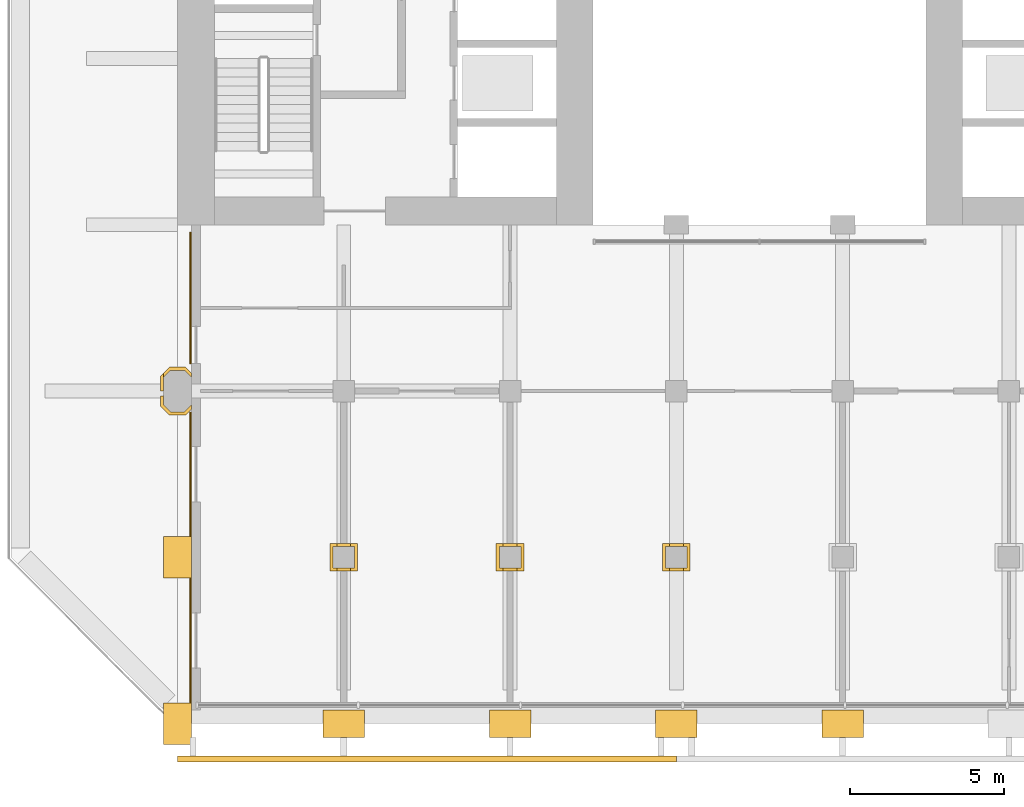
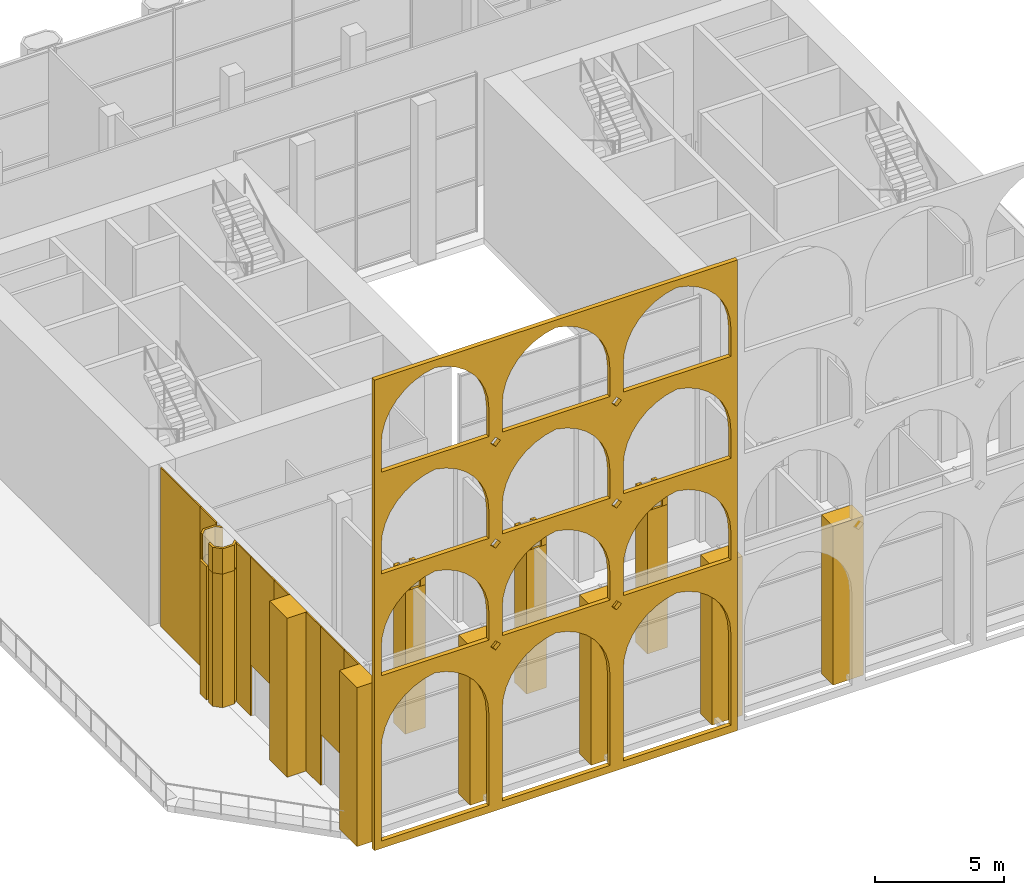
# One storey, part 13 of 20: 28 coverings.
"""IFC4 building model written with IfcOpenShell, lengths in metres."""

from ifc_helpers import new_model, si_unit, direction, frame, frame_2d, origin, place, context, subcontext, project, spatial, polyline, rectangle, outline, extrude, material, layer, layer_set, type_object, element, save


model = new_model("IFC4")

# Units and contexts
model_context = context("Model", 3, precision=1e-05, world=origin(), true_north=direction((0.0, 1.0)))
body_context = subcontext(model_context, "Body", "Model", "MODEL_VIEW")
ifc_project = project(units=[si_unit("LENGTHUNIT", "METRE"), si_unit("AREAUNIT", "SQUARE_METRE"), si_unit("VOLUMEUNIT", "CUBIC_METRE"), si_unit("PLANEANGLEUNIT", "RADIAN"), si_unit("MASSUNIT", "GRAM", prefix="KILO")], contexts=[model_context])

# Site, building, storey
site_placement = place(None, origin())
site = spatial("IfcSite", under=ifc_project, at=site_placement, CompositionType="ELEMENT")
building_placement = place(site_placement, origin())
building = spatial("IfcBuilding", under=site, at=building_placement, Name="Tabaq Tower and Sports Hall", CompositionType="ELEMENT")
storey_placement = place(building_placement, frame((0.0, 0.0, 243.10009765625)))
storey = spatial("IfcBuildingStorey", under=building, at=storey_placement, Name="L60", CompositionType="ELEMENT", Elevation=243.10009765625)

# Coverings
ifc_material_1 = material(Name="Precast concrete C60/75", Category="concrete")
ifc_layer_1 = layer(ifc_material_1, 0.10009765625)
ifc_layer_set_1 = layer_set([ifc_layer_1], Name="Column cladding 100")
covering_type_1 = type_object("IfcCoveringType", Name="Column cladding 100", PredefinedType="CLADDING", material=ifc_layer_set_1)
covering_1_placement = place(storey_placement, origin())
element("IfcCovering", 1, at=covering_1_placement, inside=storey, type_object=covering_type_1, Name="Column cladding L60 PC-2C-S2", PredefinedType="CLADDING", context=body_context, shape_type="SweptSolid", body=[
    extrude(outline(polyline([(4.850341796875, 11.291259765625), (5.1337890625, 11.57470703125), (5.666259765625, 11.57470703125), (5.849609375, 11.391357421875), (5.849609375, 11.250732421875), (5.625244140625, 11.475341796875), (5.1748046875, 11.475341796875), (4.94970703125, 11.250244140625), (4.94970703125, 10.80029296875), (4.850341796875, 10.80029296875), (4.850341796875, 11.291259765625)])), origin(), (0.0, 0.0, 1.0), 6.2998046875),
])
covering_2_placement = place(storey_placement, origin())
element("IfcCovering", 2, at=covering_2_placement, inside=storey, type_object=covering_type_1, Name="Column cladding L60 PC-2C-S2 2", PredefinedType="CLADDING", context=body_context, shape_type="SweptSolid", body=[
    extrude(outline(polyline([(5.1337890625, 10.025390625), (4.850341796875, 10.30859375), (4.850341796875, 10.64453125), (4.94970703125, 10.649658203125), (4.94970703125, 10.349853515625), (5.1748046875, 10.124755859375), (5.625244140625, 10.124755859375), (5.849609375, 10.349365234375), (5.849609375, 10.208740234375), (5.666259765625, 10.025390625), (5.1337890625, 10.025390625)])), origin(), (0.0, 0.0, 1.0), 6.2998046875),
])
covering_3_placement = place(storey_placement, frame((0.0, 0.0, 6.2998046875)))
element("IfcCovering", 3, at=covering_3_placement, inside=storey, type_object=covering_type_1, Name="Column cladding L60 PC-2C-S2 head", PredefinedType="CLADDING", context=body_context, shape_type="SweptSolid", body=[
    extrude(outline(polyline([(4.850341796875, 10.30859375), (4.850341796875, 10.64453125), (4.94970703125, 10.649658203125), (4.94970703125, 10.349853515625), (5.1748046875, 10.124755859375), (5.625244140625, 10.124755859375), (5.849609375, 10.349365234375), (5.849609375, 10.208740234375), (5.666259765625, 10.025390625), (5.1337890625, 10.025390625), (4.850341796875, 10.30859375)])), origin(), (0.0, 0.0, 1.0), 1.2001953125),
])
covering_4_placement = place(storey_placement, frame((0.0, 0.0, 6.2998046875)))
element("IfcCovering", 4, at=covering_4_placement, inside=storey, type_object=covering_type_1, Name="Column cladding L60 PC-2C-S2 head 2", PredefinedType="CLADDING", context=body_context, shape_type="SweptSolid", body=[
    extrude(outline(polyline([(5.1337890625, 11.57470703125), (5.666259765625, 11.57470703125), (5.849609375, 11.391357421875), (5.849609375, 11.250732421875), (5.625244140625, 11.475341796875), (5.1748046875, 11.475341796875), (4.9501953125, 11.250732421875), (4.9501953125, 11.391357421875), (5.1337890625, 11.57470703125)])), origin(), (0.0, 0.0, 1.0), 1.2001953125),
])
covering_5_placement = place(storey_placement, origin())
element("IfcCovering", 5, at=covering_5_placement, inside=storey, type_object=covering_type_1, Name="Column cladding L60 CC-3B-S2", PredefinedType="CLADDING", context=body_context, shape_type="SweptSolid", body=[
    extrude(outline(polyline([(10.350341796875, 5.849609375), (11.249755859375, 5.849609375), (11.249755859375, 4.9501953125), (10.350341796875, 4.9501953125), (10.350341796875, 5.849609375)]), holes=[polyline([(11.150390625, 5.0498046875), (11.150390625, 5.750244140625), (10.44970703125, 5.750244140625), (10.44970703125, 5.0498046875), (11.150390625, 5.0498046875)])]), origin(), (0.0, 0.0, 1.0), 6.75),
])
covering_6_placement = place(storey_placement, frame((0.0, 0.0, 6.75)))
element("IfcCovering", 6, at=covering_6_placement, inside=storey, type_object=covering_type_1, Name="Column cladding L60 CC-3B-S2 head", PredefinedType="CLADDING", context=body_context, shape_type="SweptSolid", body=[
    extrude(outline(polyline([(10.574462890625, 5.04931640625), (10.574462890625, 4.95068359375), (10.3505859375, 4.95068359375), (10.3505859375, 5.849365234375), (10.574462890625, 5.849365234375), (10.574462890625, 5.75048828125), (10.449462890625, 5.75048828125), (10.449462890625, 5.04931640625), (10.574462890625, 5.04931640625)])), origin(), (0.0, 0.0, 1.0), 0.75),
])
covering_7_placement = place(storey_placement, frame((0.0, 0.0, 6.75)))
element("IfcCovering", 7, at=covering_7_placement, inside=storey, type_object=covering_type_1, Name="Column cladding L60 CC-3B-S2 head 2", PredefinedType="CLADDING", context=body_context, shape_type="SweptSolid", body=[
    extrude(outline(polyline([(11.025634765625, 5.04931640625), (11.150634765625, 5.04931640625), (11.150634765625, 5.75048828125), (11.025634765625, 5.75048828125), (11.025634765625, 5.849365234375), (11.24951171875, 5.849365234375), (11.24951171875, 4.95068359375), (11.025634765625, 4.95068359375), (11.025634765625, 5.04931640625)])), origin(), (0.0, 0.0, 1.0), 0.75),
])
covering_8_placement = place(storey_placement, origin())
element("IfcCovering", 8, at=covering_8_placement, inside=storey, type_object=covering_type_1, Name="Column cladding L60 CC-4B-S2", PredefinedType="CLADDING", context=body_context, shape_type="SweptSolid", body=[
    extrude(outline(polyline([(15.750244140625, 5.849609375), (16.649658203125, 5.849609375), (16.649658203125, 4.9501953125), (15.750244140625, 4.9501953125), (15.750244140625, 5.849609375)]), holes=[polyline([(16.55029296875, 5.0498046875), (16.55029296875, 5.750244140625), (15.849609375, 5.750244140625), (15.849609375, 5.0498046875), (16.55029296875, 5.0498046875)])]), origin(), (0.0, 0.0, 1.0), 6.75),
])
covering_9_placement = place(storey_placement, frame((0.0, 0.0, 6.75)))
element("IfcCovering", 9, at=covering_9_placement, inside=storey, type_object=covering_type_1, Name="Column cladding L60 CC-4B-S2 head", PredefinedType="CLADDING", context=body_context, shape_type="SweptSolid", body=[
    extrude(outline(polyline([(16.425537109375, 5.04931640625), (16.550537109375, 5.04931640625), (16.550537109375, 5.75048828125), (16.425537109375, 5.75048828125), (16.425537109375, 5.849365234375), (16.6494140625, 5.849365234375), (16.6494140625, 4.95068359375), (16.425537109375, 4.95068359375), (16.425537109375, 5.04931640625)])), origin(), (0.0, 0.0, 1.0), 0.75),
])
covering_10_placement = place(storey_placement, frame((0.0, 0.0, 6.75)))
element("IfcCovering", 10, at=covering_10_placement, inside=storey, type_object=covering_type_1, Name="Column cladding L60 CC-4B-S2 head 2", PredefinedType="CLADDING", context=body_context, shape_type="SweptSolid", body=[
    extrude(outline(polyline([(15.974365234375, 5.04931640625), (15.974365234375, 4.95068359375), (15.75048828125, 4.95068359375), (15.75048828125, 5.849365234375), (15.974365234375, 5.849365234375), (15.974365234375, 5.75048828125), (15.849365234375, 5.75048828125), (15.849365234375, 5.04931640625), (15.974365234375, 5.04931640625)])), origin(), (0.0, 0.0, 1.0), 0.75),
])
covering_11_placement = place(storey_placement, origin())
element("IfcCovering", 11, at=covering_11_placement, inside=storey, type_object=covering_type_1, Name="Column cladding L60 CC-5B-S2", PredefinedType="CLADDING", context=body_context, shape_type="SweptSolid", body=[
    extrude(outline(polyline([(21.150390625, 5.849609375), (22.0498046875, 5.849609375), (22.0498046875, 4.9501953125), (21.150390625, 4.9501953125), (21.150390625, 5.849609375)]), holes=[polyline([(21.9501953125, 5.0498046875), (21.9501953125, 5.750244140625), (21.249755859375, 5.750244140625), (21.249755859375, 5.0498046875), (21.9501953125, 5.0498046875)])]), origin(), (0.0, 0.0, 1.0), 6.75),
])
covering_12_placement = place(storey_placement, frame((0.0, 0.0, 6.75)))
element("IfcCovering", 12, at=covering_12_placement, inside=storey, type_object=covering_type_1, Name="Column cladding L60 CC-5B-S2 head", PredefinedType="CLADDING", context=body_context, shape_type="SweptSolid", body=[
    extrude(outline(polyline([(21.37451171875, 5.04931640625), (21.37451171875, 4.95068359375), (21.150634765625, 4.95068359375), (21.150634765625, 5.849365234375), (21.37451171875, 5.849365234375), (21.37451171875, 5.75048828125), (21.24951171875, 5.75048828125), (21.24951171875, 5.04931640625), (21.37451171875, 5.04931640625)])), origin(), (0.0, 0.0, 1.0), 0.75),
])
covering_13_placement = place(storey_placement, frame((0.0, 0.0, 6.75)))
element("IfcCovering", 13, at=covering_13_placement, inside=storey, type_object=covering_type_1, Name="Column cladding L60 CC-5B-S2 head 2", PredefinedType="CLADDING", context=body_context, shape_type="SweptSolid", body=[
    extrude(outline(polyline([(21.82568359375, 5.04931640625), (21.95068359375, 5.04931640625), (21.95068359375, 5.75048828125), (21.82568359375, 5.75048828125), (21.82568359375, 5.849365234375), (22.04931640625, 5.849365234375), (22.04931640625, 4.95068359375), (21.82568359375, 4.95068359375), (21.82568359375, 5.04931640625)])), origin(), (0.0, 0.0, 1.0), 0.75),
])
ifc_material_2 = material(Name="White precast concrete C60/75", Category="concrete")
covering_type_2 = type_object("IfcCoveringType", Name="Pier cladding hung 1350x900", PredefinedType="CLADDING", material=ifc_material_2)
covering_14_placement = place(storey_placement, frame((5.39990234375, 0.675048828125, 0.0), z_axis=(0.0, 0.0, 1.0), x_axis=(0.0, -1.0, 0.0)))
element("IfcCovering", 14, at=covering_14_placement, inside=storey, type_object=covering_type_2, Name="Hung pier cladding 1/0", PredefinedType="CLADDING", context=body_context, shape_type="SweptSolid", body=[
    extrude(rectangle(XDim=1.35009765625, YDim=0.89990234375, at=frame_2d((0.675048828125, 0.0))), origin(), (0.0, 0.0, 1.0), 7.5),
])
covering_15_placement = place(storey_placement, frame((5.39990234375, 6.074951171875, 0.0), z_axis=(0.0, 0.0, 1.0), x_axis=(0.0, -1.0, 0.0)))
element("IfcCovering", 15, at=covering_15_placement, inside=storey, type_object=covering_type_2, Name="Hung pier cladding 1/1", PredefinedType="CLADDING", context=body_context, shape_type="SweptSolid", body=[
    extrude(rectangle(XDim=1.349853515625, YDim=0.89990234375, at=frame_2d((0.6748046875, 0.0))), origin(), (0.0, 0.0, 1.0), 7.5),
])
for number, where, z_axis, x_axis, name in (
    (16, (10.125, 0.0, 0.0), (0.0, 0.0, 1.0), (1.0, 0.0, 0.0), "Hung pier cladding 2/0"),
    (17, (15.52490234375, 0.0, 0.0), (0.0, 0.0, 1.0), (1.0, 0.0, 0.0), "Hung pier cladding 3/0"),
):
    element("IfcCovering", number, at=place(storey_placement, frame(where, z_axis=z_axis, x_axis=x_axis)), inside=storey, type_object=covering_type_2, Name=name, PredefinedType="CLADDING", context=body_context, shape_type="SweptSolid", body=[
        extrude(rectangle(XDim=1.35009765625, YDim=0.89990234375, at=frame_2d((0.675048828125, 0.0))), origin(), (0.0, 0.0, 1.0), 7.5),
    ])
covering_16_placement = place(storey_placement, frame((20.925048828125, 0.0, 0.0), z_axis=(0.0, 0.0, 1.0), x_axis=(1.0, 0.0, 0.0)))
element("IfcCovering", 18, at=covering_16_placement, inside=storey, type_object=covering_type_2, Name="Hung pier cladding 4/0", PredefinedType="CLADDING", context=body_context, shape_type="SweptSolid", body=[
    extrude(rectangle(XDim=1.349853515625, YDim=0.89990234375, at=frame_2d((0.6748046875, 0.0))), origin(), (0.0, 0.0, 1.0), 7.5),
])
covering_17_placement = place(storey_placement, frame((26.324951171875, 0.0, 0.0), z_axis=(0.0, 0.0, 1.0), x_axis=(1.0, 0.0, 0.0)))
element("IfcCovering", 19, at=covering_17_placement, inside=storey, type_object=covering_type_2, Name="Hung pier cladding 5/0", PredefinedType="CLADDING", context=body_context, shape_type="SweptSolid", body=[
    extrude(rectangle(XDim=1.35009765625, YDim=0.89990234375, at=frame_2d((0.675048828125, 0.0))), origin(), (0.0, 0.0, 1.0), 7.5),
])
ifc_material_3 = material(Name="White precast concrete C60/75 pierced screen", Category="concrete")
ifc_layer_2 = layer(ifc_material_3, 0.199951171875)
ifc_layer_set_2 = layer_set([ifc_layer_2], Name="TRACERY SCREEN 200 C60/75")
covering_type_3 = type_object("IfcCoveringType", Name="TRACERY SCREEN 200 C60/75", PredefinedType="CLADDING", material=ifc_layer_set_2)
covering_18_placement = place(storey_placement, frame((5.39990234375, -1.14990234375, 0.0), z_axis=(0.0, 0.0, 1.0), x_axis=(1.0, 0.0, 0.0)))
element("IfcCovering", 20, at=covering_18_placement, inside=storey, type_object=covering_type_3, Name="Tracery screen S2 S L60-L63", PredefinedType="CLADDING", context=body_context, shape_type="SweptSolid", body=[
    extrude(outline(polyline([(0.0, 0.0), (16.2001953125, 0.0), (16.2001953125, 22.199951171875), (0.0, 22.199951171875), (0.0, 0.0)]), holes=[polyline([(0.300048828125, 0.349853515625), (5.10009765625, 0.349853515625), (5.10009765625, 4.68994140625), (5.055419921875, 5.18603515625), (4.92333984375, 5.666015625), (4.7080078125, 6.115234375), (4.416015625, 6.5185546875), (4.05712890625, 6.86376953125), (3.642333984375, 7.139404296875), (3.18505859375, 7.3369140625), (2.699951171875, 7.449951171875), (2.21484375, 7.3369140625), (1.7578125, 7.139404296875), (1.343017578125, 6.86376953125), (0.98388671875, 6.5185546875), (0.69189453125, 6.115234375), (0.4765625, 5.666015625), (0.344482421875, 5.18603515625), (0.300048828125, 4.68994140625), (0.300048828125, 0.349853515625)]), polyline([(5.699951171875, 0.349853515625), (10.5, 0.349853515625), (10.5, 4.68994140625), (10.45556640625, 5.18603515625), (10.323486328125, 5.666015625), (10.10791015625, 6.115234375), (9.816162109375, 6.5185546875), (9.45703125, 6.86376953125), (9.042236328125, 7.139404296875), (8.5849609375, 7.3369140625), (8.10009765625, 7.449951171875), (7.614990234375, 7.3369140625), (7.15771484375, 7.139404296875), (6.742919921875, 6.86376953125), (6.384033203125, 6.5185546875), (6.092041015625, 6.115234375), (5.87646484375, 5.666015625), (5.744384765625, 5.18603515625), (5.699951171875, 4.68994140625), (5.699951171875, 0.349853515625)]), polyline([(11.10009765625, 0.349853515625), (15.89990234375, 0.349853515625), (15.89990234375, 4.68994140625), (15.85546875, 5.18603515625), (15.723388671875, 5.666015625), (15.508056640625, 6.115234375), (15.216064453125, 6.5185546875), (14.85693359375, 6.86376953125), (14.442138671875, 7.139404296875), (13.985107421875, 7.3369140625), (13.5, 7.449951171875), (13.014892578125, 7.3369140625), (12.557861328125, 7.139404296875), (12.14306640625, 6.86376953125), (11.783935546875, 6.5185546875), (11.491943359375, 6.115234375), (11.276611328125, 5.666015625), (11.14453125, 5.18603515625), (11.10009765625, 4.68994140625), (11.10009765625, 0.349853515625)]), polyline([(0.300048828125, 8.14990234375), (5.10009765625, 8.14990234375), (5.10009765625, 9.489990234375), (5.055419921875, 9.98583984375), (4.92333984375, 10.466064453125), (4.7080078125, 10.9150390625), (4.416015625, 11.318603515625), (4.05712890625, 11.663818359375), (3.642333984375, 11.939453125), (3.18505859375, 12.136962890625), (2.699951171875, 12.25), (2.21484375, 12.136962890625), (1.7578125, 11.939453125), (1.343017578125, 11.663818359375), (0.98388671875, 11.318603515625), (0.69189453125, 10.9150390625), (0.4765625, 10.466064453125), (0.344482421875, 9.98583984375), (0.300048828125, 9.489990234375), (0.300048828125, 8.14990234375)]), polyline([(5.699951171875, 8.14990234375), (10.5, 8.14990234375), (10.5, 9.489990234375), (10.45556640625, 9.98583984375), (10.323486328125, 10.466064453125), (10.10791015625, 10.9150390625), (9.816162109375, 11.318603515625), (9.45703125, 11.663818359375), (9.042236328125, 11.939453125), (8.5849609375, 12.136962890625), (8.10009765625, 12.25), (7.614990234375, 12.136962890625), (7.15771484375, 11.939453125), (6.742919921875, 11.663818359375), (6.384033203125, 11.318603515625), (6.092041015625, 10.9150390625), (5.87646484375, 10.466064453125), (5.744384765625, 9.98583984375), (5.699951171875, 9.489990234375), (5.699951171875, 8.14990234375)]), polyline([(11.10009765625, 8.14990234375), (15.89990234375, 8.14990234375), (15.89990234375, 9.489990234375), (15.85546875, 9.98583984375), (15.723388671875, 10.466064453125), (15.508056640625, 10.9150390625), (15.216064453125, 11.318603515625), (14.85693359375, 11.663818359375), (14.442138671875, 11.939453125), (13.985107421875, 12.136962890625), (13.5, 12.25), (13.014892578125, 12.136962890625), (12.557861328125, 11.939453125), (12.14306640625, 11.663818359375), (11.783935546875, 11.318603515625), (11.491943359375, 10.9150390625), (11.276611328125, 10.466064453125), (11.14453125, 9.98583984375), (11.10009765625, 9.489990234375), (11.10009765625, 8.14990234375)]), polyline([(0.300048828125, 12.949951171875), (5.10009765625, 12.949951171875), (5.10009765625, 14.289794921875), (5.055419921875, 14.785888671875), (4.92333984375, 15.26611328125), (4.7080078125, 15.715087890625), (4.416015625, 16.11865234375), (4.05712890625, 16.4638671875), (3.642333984375, 16.739501953125), (3.18505859375, 16.93701171875), (2.699951171875, 17.0498046875), (2.21484375, 16.93701171875), (1.7578125, 16.739501953125), (1.343017578125, 16.4638671875), (0.98388671875, 16.11865234375), (0.69189453125, 15.715087890625), (0.4765625, 15.26611328125), (0.344482421875, 14.785888671875), (0.300048828125, 14.289794921875), (0.300048828125, 12.949951171875)]), polyline([(5.699951171875, 12.949951171875), (10.5, 12.949951171875), (10.5, 14.289794921875), (10.45556640625, 14.785888671875), (10.323486328125, 15.26611328125), (10.10791015625, 15.715087890625), (9.816162109375, 16.11865234375), (9.45703125, 16.4638671875), (9.042236328125, 16.739501953125), (8.5849609375, 16.93701171875), (8.10009765625, 17.0498046875), (7.614990234375, 16.93701171875), (7.15771484375, 16.739501953125), (6.742919921875, 16.4638671875), (6.384033203125, 16.11865234375), (6.092041015625, 15.715087890625), (5.87646484375, 15.26611328125), (5.744384765625, 14.785888671875), (5.699951171875, 14.289794921875), (5.699951171875, 12.949951171875)]), polyline([(11.10009765625, 12.949951171875), (15.89990234375, 12.949951171875), (15.89990234375, 14.289794921875), (15.85546875, 14.785888671875), (15.723388671875, 15.26611328125), (15.508056640625, 15.715087890625), (15.216064453125, 16.11865234375), (14.85693359375, 16.4638671875), (14.442138671875, 16.739501953125), (13.985107421875, 16.93701171875), (13.5, 17.0498046875), (13.014892578125, 16.93701171875), (12.557861328125, 16.739501953125), (12.14306640625, 16.4638671875), (11.783935546875, 16.11865234375), (11.491943359375, 15.715087890625), (11.276611328125, 15.26611328125), (11.14453125, 14.785888671875), (11.10009765625, 14.289794921875), (11.10009765625, 12.949951171875)]), polyline([(0.300048828125, 17.75), (5.10009765625, 17.75), (5.10009765625, 19.08984375), (5.055419921875, 19.5859375), (4.92333984375, 20.066162109375), (4.7080078125, 20.51513671875), (4.416015625, 20.918701171875), (4.05712890625, 21.263671875), (3.642333984375, 21.53955078125), (3.18505859375, 21.737060546875), (2.699951171875, 21.849853515625), (2.21484375, 21.737060546875), (1.7578125, 21.53955078125), (1.343017578125, 21.263671875), (0.98388671875, 20.918701171875), (0.69189453125, 20.51513671875), (0.4765625, 20.066162109375), (0.344482421875, 19.5859375), (0.300048828125, 19.08984375), (0.300048828125, 17.75)]), polyline([(5.699951171875, 17.75), (10.5, 17.75), (10.5, 19.08984375), (10.45556640625, 19.5859375), (10.323486328125, 20.066162109375), (10.10791015625, 20.51513671875), (9.816162109375, 20.918701171875), (9.45703125, 21.263671875), (9.042236328125, 21.53955078125), (8.5849609375, 21.737060546875), (8.10009765625, 21.849853515625), (7.614990234375, 21.737060546875), (7.15771484375, 21.53955078125), (6.742919921875, 21.263671875), (6.384033203125, 20.918701171875), (6.092041015625, 20.51513671875), (5.87646484375, 20.066162109375), (5.744384765625, 19.5859375), (5.699951171875, 19.08984375), (5.699951171875, 17.75)]), polyline([(11.10009765625, 17.75), (15.89990234375, 17.75), (15.89990234375, 19.08984375), (15.85546875, 19.5859375), (15.723388671875, 20.066162109375), (15.508056640625, 20.51513671875), (15.216064453125, 20.918701171875), (14.85693359375, 21.263671875), (14.442138671875, 21.53955078125), (13.985107421875, 21.737060546875), (13.5, 21.849853515625), (13.014892578125, 21.737060546875), (12.557861328125, 21.53955078125), (12.14306640625, 21.263671875), (11.783935546875, 20.918701171875), (11.491943359375, 20.51513671875), (11.276611328125, 20.066162109375), (11.14453125, 19.5859375), (11.10009765625, 19.08984375), (11.10009765625, 17.75)]), polyline([(5.6201171875, 7.7998046875), (5.39990234375, 8.02001953125), (5.179931640625, 7.7998046875), (5.39990234375, 7.579833984375), (5.6201171875, 7.7998046875)]), polyline([(11.02001953125, 7.7998046875), (10.800048828125, 8.02001953125), (10.580078125, 7.7998046875), (10.800048828125, 7.579833984375), (11.02001953125, 7.7998046875)]), polyline([(5.6201171875, 12.599853515625), (5.39990234375, 12.81982421875), (5.179931640625, 12.599853515625), (5.39990234375, 12.3798828125), (5.6201171875, 12.599853515625)]), polyline([(11.02001953125, 12.599853515625), (10.800048828125, 12.81982421875), (10.580078125, 12.599853515625), (10.800048828125, 12.3798828125), (11.02001953125, 12.599853515625)]), polyline([(5.6201171875, 17.39990234375), (5.39990234375, 17.619873046875), (5.179931640625, 17.39990234375), (5.39990234375, 17.179931640625), (5.6201171875, 17.39990234375)]), polyline([(11.02001953125, 17.39990234375), (10.800048828125, 17.619873046875), (10.580078125, 17.39990234375), (10.800048828125, 17.179931640625), (11.02001953125, 17.39990234375)])]), frame((0.0, 0.10009765625, 0.0), z_axis=(0.0, -1.0, 0.0), x_axis=(1.0, 0.0, 0.0)), (0.0, 0.0, 1.0), 0.199951171875),
])
ifc_material_4 = material(Name="Precast concrete C60/75", Category="concrete")
ifc_layer_3 = layer(ifc_material_4, 0.06005859375)
ifc_layer_set_3 = layer_set([ifc_layer_3], Name="White precast cladding panel 60 C60/75")
covering_type_4 = type_object("IfcCoveringType", Name="White precast cladding panel 60 C60/75", PredefinedType="CLADDING", material=ifc_layer_set_3)
covering_19_placement = place(storey_placement, frame((5.820068359375, 15.965087890625, 0.0), z_axis=(0.0, 0.0, 1.0), x_axis=(0.0, -1.0, 0.0)))
element("IfcCovering", 21, at=covering_19_placement, inside=storey, type_object=covering_type_4, Name="White precast cladding panel L60 infill05-1-0", PredefinedType="CLADDING", context=body_context, shape_type="SweptSolid", body=[
    extrude(rectangle(XDim=3.05517578125, YDim=0.06005859375, at=frame_2d((1.527587890625, 0.0))), origin(), (0.0, 0.0, 1.0), 7.5),
])
covering_20_placement = place(storey_placement, frame((5.820068359375, 12.909912109375, 2.409912109375), z_axis=(0.0, 0.0, 1.0), x_axis=(0.0, -1.0, 0.0)))
element("IfcCovering", 22, at=covering_20_placement, inside=storey, type_object=covering_type_4, Name="White precast cladding panel L60 infill05-1-0 2", PredefinedType="CLADDING", context=body_context, shape_type="SweptSolid", body=[
    extrude(rectangle(XDim=1.219970703125, YDim=0.06005859375, at=frame_2d((0.60986328125, 0.0))), origin(), (0.0, 0.0, 1.0), 5.090087890625),
])
covering_21_placement = place(storey_placement, frame((5.820068359375, 10.114990234375, 0.0), z_axis=(0.0, 0.0, 1.0), x_axis=(0.0, -1.0, 0.0)))
element("IfcCovering", 23, at=covering_21_placement, inside=storey, type_object=covering_type_4, Name="White precast cladding panel L60 infill05-1-0 3", PredefinedType="CLADDING", context=body_context, shape_type="SweptSolid", body=[
    extrude(rectangle(XDim=1.10498046875, YDim=0.06005859375, at=frame_2d((0.552490234375, 0.0))), origin(), (0.0, 0.0, 1.0), 7.5),
])
covering_22_placement = place(storey_placement, frame((5.820068359375, 9.010009765625, 2.409912109375), z_axis=(0.0, 0.0, 1.0), x_axis=(0.0, -1.0, 0.0)))
element("IfcCovering", 24, at=covering_22_placement, inside=storey, type_object=covering_type_4, Name="White precast cladding panel L60 infill05-1-0 4", PredefinedType="CLADDING", context=body_context, shape_type="SweptSolid", body=[
    extrude(rectangle(XDim=1.820068359375, YDim=0.06005859375, at=frame_2d((0.91015625, 0.0))), origin(), (0.0, 0.0, 1.0), 5.090087890625),
])
for number, where, z_axis, x_axis, name in (
    (25, (5.820068359375, 7.18994140625, 0.0), (0.0, 0.0, 1.0), (0.0, -1.0, 0.0), "White precast cladding panel L60 infill05-1-0 5"),
    (26, (5.820068359375, 4.715087890625, 0.0), (0.0, 0.0, 1.0), (0.0, -1.0, 0.0), "White precast cladding panel L60 infill05-1-0 6"),
):
    element("IfcCovering", number, at=place(storey_placement, frame(where, z_axis=z_axis, x_axis=x_axis)), inside=storey, type_object=covering_type_4, Name=name, PredefinedType="CLADDING", context=body_context, shape_type="SweptSolid", body=[
        extrude(rectangle(XDim=1.10498046875, YDim=0.06005859375, at=frame_2d((0.552490234375, 0.0))), origin(), (0.0, 0.0, 1.0), 7.5),
    ])
covering_23_placement = place(storey_placement, frame((5.820068359375, 3.610107421875, 2.409912109375), z_axis=(0.0, 0.0, 1.0), x_axis=(0.0, -1.0, 0.0)))
element("IfcCovering", 27, at=covering_23_placement, inside=storey, type_object=covering_type_4, Name="White precast cladding panel L60 infill05-1-0 7", PredefinedType="CLADDING", context=body_context, shape_type="SweptSolid", body=[
    extrude(rectangle(XDim=1.820068359375, YDim=0.06005859375, at=frame_2d((0.91015625, 0.0))), origin(), (0.0, 0.0, 1.0), 5.090087890625),
])
covering_24_placement = place(storey_placement, frame((5.820068359375, 1.7900390625, 0.0), z_axis=(0.0, 0.0, 1.0), x_axis=(0.0, -1.0, 0.0)))
element("IfcCovering", 28, at=covering_24_placement, inside=storey, type_object=covering_type_4, Name="White precast cladding panel L60 infill05-1-0 8", PredefinedType="CLADDING", context=body_context, shape_type="SweptSolid", body=[
    extrude(rectangle(XDim=1.10498046875, YDim=0.06005859375, at=frame_2d((0.552490234375, 0.0))), origin(), (0.0, 0.0, 1.0), 7.5),
])

save(model, "model.ifc")
